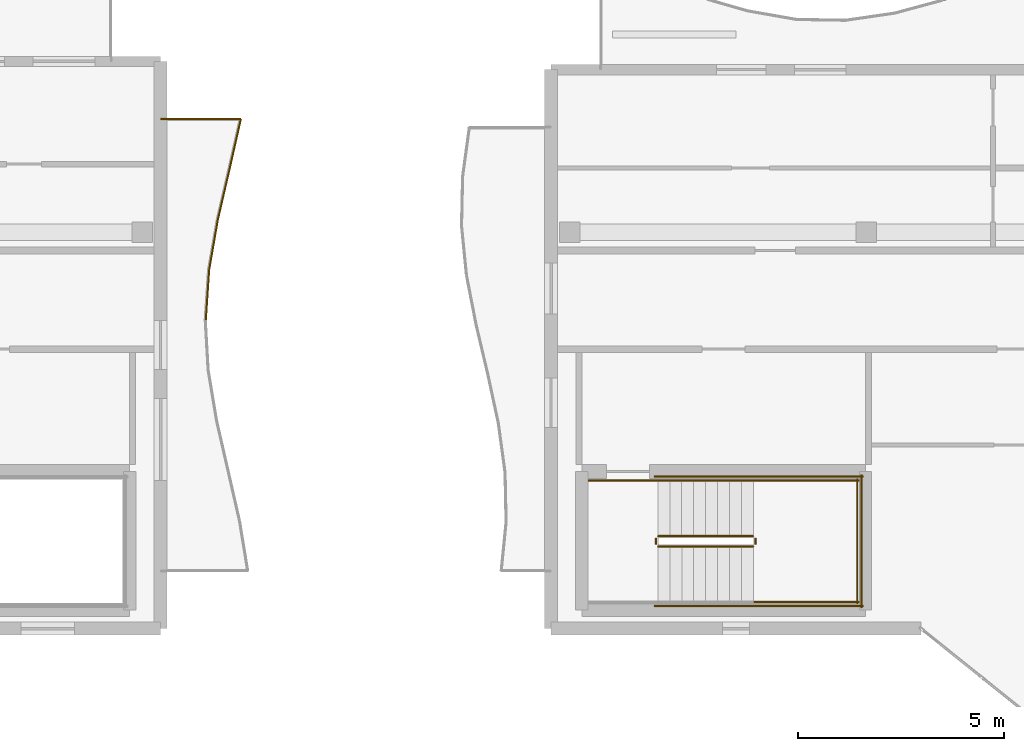
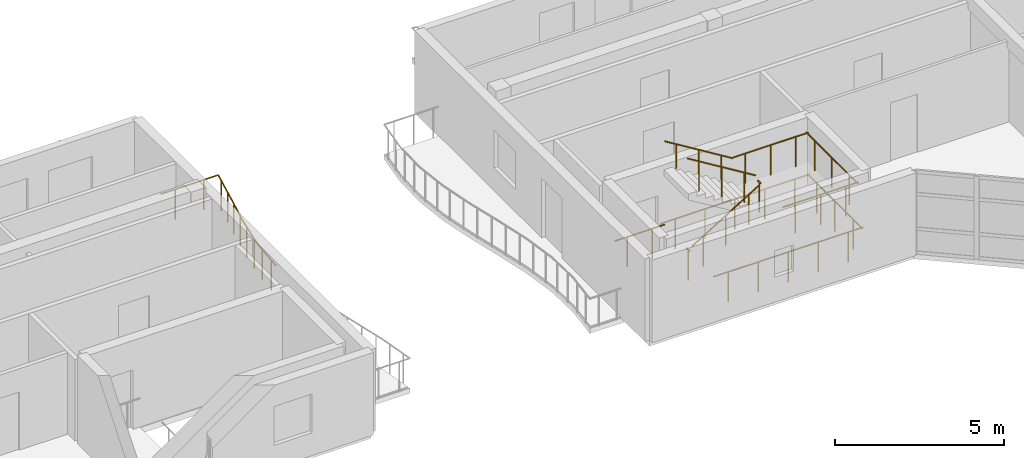
# One storey, part 26 of 30: 17 railings.
"""IFC4 building model written with IfcOpenShell, lengths in metres."""

from ifc_helpers import new_model, si_unit, direction, frame, origin, origin_2d, place, context, subcontext, project, spatial, circle, extrude, material, type_object, element, save


model = new_model("IFC4")

# Units and contexts
model_context = context("Model", 3, precision=1e-05, world=origin(), true_north=direction((0.0, 1.0)))
body_context = subcontext(model_context, "Body", "Model", "MODEL_VIEW")
ifc_project = project(units=[si_unit("LENGTHUNIT", "METRE"), si_unit("AREAUNIT", "SQUARE_METRE"), si_unit("VOLUMEUNIT", "CUBIC_METRE"), si_unit("PLANEANGLEUNIT", "RADIAN"), si_unit("MASSUNIT", "GRAM", prefix="KILO")], contexts=[model_context])

# Site, building, storey
site_placement = place(None, origin())
site = spatial("IfcSite", under=ifc_project, at=site_placement, CompositionType="ELEMENT")
building_placement = place(site_placement, origin())
building = spatial("IfcBuilding", under=site, at=building_placement, Name="Keldmere Railside Commons", CompositionType="ELEMENT")
storey_placement = place(building_placement, frame((0.0, 0.0, 36.159912109375)))
storey = spatial("IfcBuildingStorey", under=building, at=storey_placement, Name="L11", CompositionType="ELEMENT", Elevation=36.159912109375)

# Railings
ifc_material = material(Name="Steel F-24 (S235)", Category="steel")
railing_type_1 = type_object("IfcRailingType", Name="Balcony & Terrace Steel Balustrade 1100", PredefinedType="BALUSTRADE", material=ifc_material)
railing_1_placement = place(storey_placement, frame((138.60009765625, 107.510986328125, 0.0)))
element("IfcRailing", 1, at=railing_1_placement, inside=storey, type_object=railing_type_1, Name="GR-1 GRD-L11-3137", PredefinedType="BALUSTRADE", context=body_context, shape_type="SweptSolid", body=[
    extrude(circle(Radius=0.02392578125, at=origin_2d()), frame((0.0, 0.0, 1.076171875), z_axis=(0.067153838102, 0.997742633162, 0.0), x_axis=(-0.997742633162, 0.067153838102, 0.0)), (0.0, 0.0, 1.0), 1.22509765625),
    extrude(circle(Radius=0.02099609375, at=origin_2d()), frame((0.0205078125, 0.3056640625, 0.0)), (0.0, 0.0, 1.0), 1.048095703125),
    extrude(circle(Radius=0.02099609375, at=origin_2d()), frame((0.061767578125, 0.916748046875, 0.0)), (0.0, 0.0, 1.0), 1.048095703125),
])
railing_2_placement = place(storey_placement, frame((138.682373046875, 108.7333984375, 0.0)))
element("IfcRailing", 2, at=railing_2_placement, inside=storey, type_object=railing_type_1, Name="GR-1 GRD-L11-3138", PredefinedType="BALUSTRADE", context=body_context, shape_type="SweptSolid", body=[
    extrude(circle(Radius=0.02392578125, at=origin_2d()), frame((0.0, 0.0, 1.076171875), z_axis=(0.170842774128, 0.985298303322, 0.0), x_axis=(-0.985298303322, 0.170842774128, 0.0)), (0.0, 0.0, 1.0), 1.240478515625),
    extrude(circle(Radius=0.02099609375, at=origin_2d()), frame((0.052978515625, 0.3056640625, 0.0)), (0.0, 0.0, 1.0), 1.048095703125),
    extrude(circle(Radius=0.02099609375, at=origin_2d()), frame((0.158935546875, 0.91650390625, 0.0)), (0.0, 0.0, 1.0), 1.048095703125),
])
railing_3_placement = place(storey_placement, frame((138.894287109375, 109.95556640625, 0.0)))
element("IfcRailing", 3, at=railing_3_placement, inside=storey, type_object=railing_type_1, Name="GR-1 GRD-L11-3139", PredefinedType="BALUSTRADE", context=body_context, shape_type="SweptSolid", body=[
    extrude(circle(Radius=0.02392578125, at=origin_2d()), frame((0.0, 0.0, 1.076171875), z_axis=(0.225740598994, 0.974187447038, 0.0), x_axis=(-0.974187447038, 0.225740598994, 0.0)), (0.0, 0.0, 1.0), 1.254638671875),
    extrude(circle(Radius=0.02099609375, at=origin_2d()), frame((0.07080078125, 0.3056640625, 0.0)), (0.0, 0.0, 1.0), 1.048095703125),
    extrude(circle(Radius=0.02099609375, at=origin_2d()), frame((0.21240234375, 0.91650390625, 0.0)), (0.0, 0.0, 1.0), 1.048095703125),
])
railing_4_placement = place(storey_placement, frame((139.177490234375, 111.177734375, 0.0)))
element("IfcRailing", 4, at=railing_4_placement, inside=storey, type_object=railing_type_1, Name="GR-1 GRD-L11-3140", PredefinedType="BALUSTRADE", context=body_context, shape_type="SweptSolid", body=[
    extrude(circle(Radius=0.02392578125, at=origin_2d()), frame((0.0, 0.0, 1.076171875), z_axis=(0.219818233224, 0.975540847091, 0.0), x_axis=(-0.975540847091, 0.219818233224, 0.0)), (0.0, 0.0, 1.0), 1.2529296875),
    extrude(circle(Radius=0.02099609375, at=origin_2d()), frame((0.06884765625, 0.3056640625, 0.0)), (0.0, 0.0, 1.0), 1.048095703125),
    extrude(circle(Radius=0.02099609375, at=origin_2d()), frame((0.20654296875, 0.91650390625, 0.0)), (0.0, 0.0, 1.0), 1.048095703125),
])
railing_5_placement = place(storey_placement, frame((139.452880859375, 112.39990234375, 0.0)))
element("IfcRailing", 5, at=railing_5_placement, inside=storey, type_object=railing_type_1, Name="GR-1 GRD-L11-3141", PredefinedType="BALUSTRADE", context=body_context, shape_type="SweptSolid", body=[
    extrude(circle(Radius=0.02392578125, at=origin_2d()), frame((0.0, 0.0, 1.076171875), z_axis=(-1.0, 0.0, 0.0), x_axis=(0.0, -1.0, 0.0)), (0.0, 0.0, 1.0), 1.952880859375),
    extrude(circle(Radius=0.02099609375, at=origin_2d()), frame((-0.48828125, 0.0, 0.0)), (0.0, 0.0, 1.0), 1.048095703125),
    extrude(circle(Radius=0.02099609375, at=origin_2d()), frame((-1.464599609375, 0.0, 0.0)), (0.0, 0.0, 1.0), 1.048095703125),
])
railing_type_2 = type_object("IfcRailingType", Name="Stair Well Steel Guardrail 1100", PredefinedType="BALUSTRADE", material=ifc_material)
railing_6_placement = place(storey_placement, frame((149.60009765625, 102.0, 0.177978515625)))
element("IfcRailing", 6, at=railing_6_placement, inside=storey, type_object=railing_type_2, Name="L11 ST-A2 stair guard 1", PredefinedType="BALUSTRADE", context=body_context, shape_type="SweptSolid", body=[
    extrude(circle(Radius=0.02392578125, at=origin_2d()), frame((0.0, 0.0, 1.076171875), z_axis=(0.85255353654, 0.0, 0.522639902162), x_axis=(0.0, 1.0, 0.0)), (0.0, 0.0, 1.0), 2.720947265625),
    extrude(circle(Radius=0.02099609375, at=origin_2d()), frame((0.38671875, 0.0, 0.237060546875)), (0.0, 0.0, 1.0), 1.048095703125),
    extrude(circle(Radius=0.02099609375, at=origin_2d()), frame((1.159912109375, 0.0, 0.7109375)), (0.0, 0.0, 1.0), 1.048095703125),
    extrude(circle(Radius=0.02099609375, at=origin_2d()), frame((1.93310546875, 0.0, 1.18505859375)), (0.0, 0.0, 1.0), 1.048095703125),
])
railing_7_placement = place(storey_placement, frame((151.969970703125, 102.050048828125, 1.60009765625)))
element("IfcRailing", 7, at=railing_7_placement, inside=storey, type_object=railing_type_2, Name="L11 ST-A2 stair guard 2", PredefinedType="BALUSTRADE", context=body_context, shape_type="SweptSolid", body=[
    extrude(circle(Radius=0.02392578125, at=origin_2d()), frame((0.0, 0.0, 1.076171875), z_axis=(0.0, 1.0, 0.0), x_axis=(-1.0, 0.0, 0.0)), (0.0, 0.0, 1.0), 0.14990234375),
    extrude(circle(Radius=0.02099609375, at=origin_2d()), frame((0.0, 0.074951171875, 0.0)), (0.0, 0.0, 1.0), 1.048095703125),
])
for number, where, name in (
    (8, (151.919921875, 100.64990234375, 1.60009765625), "L11 ST-A2 stair guard 3"),
    (9, (151.919921875, 103.60009765625, 1.60009765625), "L11 ST-A2 stair guard 4"),
):
    element("IfcRailing", number, at=place(storey_placement, frame(where)), inside=storey, type_object=railing_type_2, Name=name, PredefinedType="BALUSTRADE", context=body_context, shape_type="SweptSolid", body=[
        extrude(circle(Radius=0.02392578125, at=origin_2d()), frame((0.0, 0.0, 1.076171875), z_axis=(1.0, 0.0, 0.0), x_axis=(0.0, 1.0, 0.0)), (0.0, 0.0, 1.0), 2.580078125),
        extrude(circle(Radius=0.02099609375, at=origin_2d()), frame((0.429931640625, 0.0, 0.0)), (0.0, 0.0, 1.0), 1.048095703125),
        extrude(circle(Radius=0.02099609375, at=origin_2d()), frame((1.2900390625, 0.0, 0.0)), (0.0, 0.0, 1.0), 1.048095703125),
        extrude(circle(Radius=0.02099609375, at=origin_2d()), frame((2.150146484375, 0.0, 0.0)), (0.0, 0.0, 1.0), 1.048095703125),
    ])
railing_8_placement = place(storey_placement, frame((154.449951171875, 100.60009765625, 1.60009765625)))
element("IfcRailing", 10, at=railing_8_placement, inside=storey, type_object=railing_type_2, Name="L11 ST-A2 stair guard 5", PredefinedType="BALUSTRADE", context=body_context, shape_type="SweptSolid", body=[
    extrude(circle(Radius=0.02392578125, at=origin_2d()), frame((0.0, 0.0, 1.076171875), z_axis=(0.0, 1.0, 0.0), x_axis=(-1.0, 0.0, 0.0)), (0.0, 0.0, 1.0), 3.0498046875),
    extrude(circle(Radius=0.02099609375, at=origin_2d()), frame((0.0, 0.50830078125, 0.0)), (0.0, 0.0, 1.0), 1.048095703125),
    extrude(circle(Radius=0.02099609375, at=origin_2d()), frame((0.0, 1.52490234375, 0.0)), (0.0, 0.0, 1.0), 1.048095703125),
    extrude(circle(Radius=0.02099609375, at=origin_2d()), frame((0.0, 2.54150390625, 0.0)), (0.0, 0.0, 1.0), 1.048095703125),
])
railing_9_placement = place(storey_placement, frame((151.919921875, 102.25, 1.77783203125)))
element("IfcRailing", 11, at=railing_9_placement, inside=storey, type_object=railing_type_2, Name="L11 ST-A2 stair guard 6", PredefinedType="BALUSTRADE", context=body_context, shape_type="SweptSolid", body=[
    extrude(circle(Radius=0.02392578125, at=origin_2d()), frame((0.0, 0.0, 1.076171875), z_axis=(-0.852513557019, 0.0, 0.522705112944), x_axis=(0.0, -1.0, 0.0)), (0.0, 0.0, 1.0), 2.72119140625),
    extrude(circle(Radius=0.02099609375, at=origin_2d()), frame((-0.38671875, 0.0, 0.237060546875)), (0.0, 0.0, 1.0), 1.048095703125),
    extrude(circle(Radius=0.02099609375, at=origin_2d()), frame((-1.159912109375, 0.0, 0.711181640625)), (0.0, 0.0, 1.0), 1.048095703125),
    extrude(circle(Radius=0.02099609375, at=origin_2d()), frame((-1.93310546875, 0.0, 1.185302734375)), (0.0, 0.0, 1.0), 1.048095703125),
])
railing_10_placement = place(storey_placement, frame((149.550048828125, 102.050048828125, 0.0)))
element("IfcRailing", 12, at=railing_10_placement, inside=storey, type_object=railing_type_2, Name="L11 ST-A2 stair guard 7", PredefinedType="BALUSTRADE", context=body_context, shape_type="SweptSolid", body=[
    extrude(circle(Radius=0.02392578125, at=origin_2d()), frame((0.0, 0.0, 1.076171875), z_axis=(0.0, 1.0, 0.0), x_axis=(-1.0, 0.0, 0.0)), (0.0, 0.0, 1.0), 0.14990234375),
    extrude(circle(Radius=0.02099609375, at=origin_2d()), frame((0.0, 0.074951171875, 0.0)), (0.0, 0.0, 1.0), 1.048095703125),
])
railing_11_placement = place(storey_placement, frame((147.89990234375, 103.60009765625, 0.0)))
element("IfcRailing", 13, at=railing_11_placement, inside=storey, type_object=railing_type_2, Name="L11 ST-A2 stair guard 9", PredefinedType="BALUSTRADE", context=body_context, shape_type="SweptSolid", body=[
    extrude(circle(Radius=0.02392578125, at=origin_2d()), frame((0.0, 0.0, 1.076171875), z_axis=(1.0, 0.0, 0.0), x_axis=(0.0, 1.0, 0.0)), (0.0, 0.0, 1.0), 1.7001953125),
    extrude(circle(Radius=0.02099609375, at=origin_2d()), frame((0.425048828125, 0.0, 0.0)), (0.0, 0.0, 1.0), 1.048095703125),
    extrude(circle(Radius=0.02099609375, at=origin_2d()), frame((1.275146484375, 0.0, 0.0)), (0.0, 0.0, 1.0), 1.048095703125),
])
for number, where, name in (
    (14, (149.5, 100.550048828125, 0.0), "L11 ST-A2 stair guard 10"),
    (15, (149.5, 103.699951171875, 0.0), "L11 ST-A2 stair guard 11"),
):
    element("IfcRailing", number, at=place(storey_placement, frame(where)), inside=storey, type_object=railing_type_2, Name=name, PredefinedType="BALUSTRADE", context=body_context, shape_type="SweptSolid", body=[
        extrude(circle(Radius=0.02392578125, at=origin_2d()), frame((0.0, 0.0, 1.076171875), z_axis=(1.0, 0.0, 0.0), x_axis=(0.0, 1.0, 0.0)), (0.0, 0.0, 1.0), 5.10009765625),
        extrude(circle(Radius=0.02099609375, at=origin_2d()), frame((0.510009765625, 0.0, 0.0)), (0.0, 0.0, 1.0), 1.048095703125),
        extrude(circle(Radius=0.02099609375, at=origin_2d()), frame((1.530029296875, 0.0, 0.0)), (0.0, 0.0, 1.0), 1.048095703125),
        extrude(circle(Radius=0.02099609375, at=origin_2d()), frame((2.550048828125, 0.0, 0.0)), (0.0, 0.0, 1.0), 1.048095703125),
        extrude(circle(Radius=0.02099609375, at=origin_2d()), frame((3.570068359375, 0.0, 0.0)), (0.0, 0.0, 1.0), 1.048095703125),
        extrude(circle(Radius=0.02099609375, at=origin_2d()), frame((4.590087890625, 0.0, 0.0)), (0.0, 0.0, 1.0), 1.048095703125),
    ])
railing_12_placement = place(storey_placement, frame((154.550048828125, 100.5, 0.0)))
element("IfcRailing", 16, at=railing_12_placement, inside=storey, type_object=railing_type_2, Name="L11 ST-A2 stair guard 12", PredefinedType="BALUSTRADE", context=body_context, shape_type="SweptSolid", body=[
    extrude(circle(Radius=0.02392578125, at=origin_2d()), frame((0.0, 0.0, 1.076171875), z_axis=(0.0, 1.0, 0.0), x_axis=(-1.0, 0.0, 0.0)), (0.0, 0.0, 1.0), 3.25),
    extrude(circle(Radius=0.02099609375, at=origin_2d()), frame((0.0, 0.541748046875, 0.0)), (0.0, 0.0, 1.0), 1.048095703125),
    extrude(circle(Radius=0.02099609375, at=origin_2d()), frame((0.0, 1.625, 0.0)), (0.0, 0.0, 1.0), 1.048095703125),
    extrude(circle(Radius=0.02099609375, at=origin_2d()), frame((0.0, 2.708251953125, 0.0)), (0.0, 0.0, 1.0), 1.048095703125),
])
railing_type_3 = type_object("IfcRailingType", Name="Wall-Mounted Tubular Steel Handrail 900", PredefinedType="HANDRAIL", material=ifc_material)
railing_13_placement = place(storey_placement, frame((151.919921875, 103.60009765625, 1.77783203125)))
element("IfcRailing", 17, at=railing_13_placement, inside=storey, type_object=railing_type_3, Name="L11 ST-A2 stair handrail 2", PredefinedType="HANDRAIL", context=body_context, shape_type="SweptSolid", body=[
    extrude(circle(Radius=0.02392578125, at=origin_2d()), frame((0.0, 0.0, 0.8759765625), z_axis=(-0.852513557019, 0.0, 0.522705112944), x_axis=(0.0, -1.0, 0.0)), (0.0, 0.0, 1.0), 2.72119140625),
    extrude(circle(Radius=0.02099609375, at=origin_2d()), frame((-0.38671875, 0.0, 0.237060546875)), (0.0, 0.0, 1.0), 0.847900390625),
    extrude(circle(Radius=0.02099609375, at=origin_2d()), frame((-1.159912109375, 0.0, 0.711181640625)), (0.0, 0.0, 1.0), 0.847900390625),
    extrude(circle(Radius=0.02099609375, at=origin_2d()), frame((-1.93310546875, 0.0, 1.185302734375)), (0.0, 0.0, 1.0), 0.847900390625),
])

save(model, "model.ifc")
